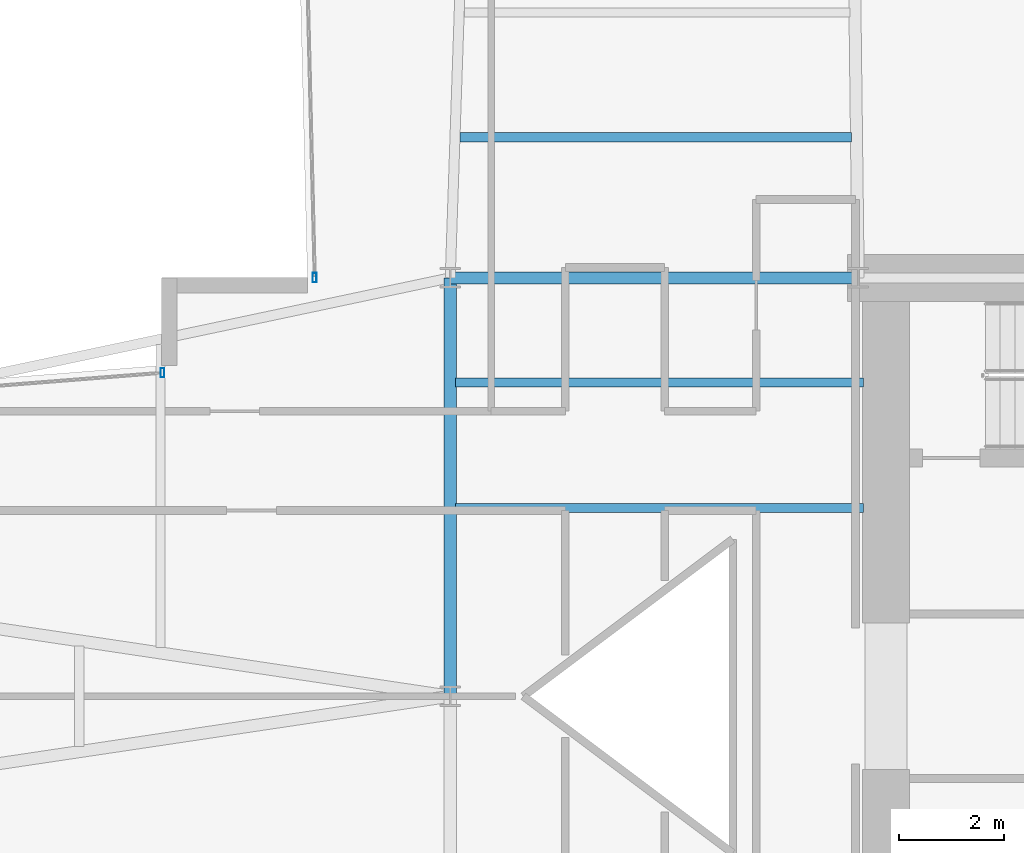
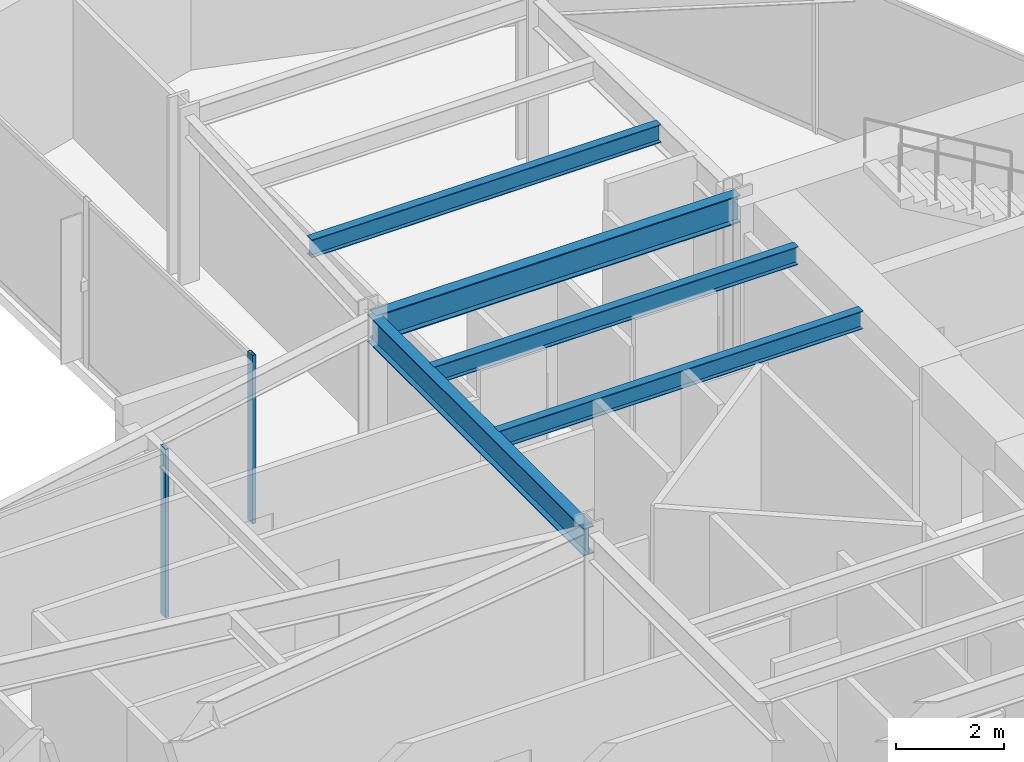
# One storey, part 9 of 24: 5 beams, 2 members, 2 elements without a shape of their own.
"""IFC4 building model written with IfcOpenShell, lengths in metres."""

from ifc_helpers import new_model, si_unit, direction, frame, origin, origin_2d, place, context, subcontext, project, spatial, hollow_rectangle, i_section, extrude, material, layer, layer_set, material_profile, profile_set, type_object, element, aggregate, save


model = new_model("IFC4")

# Units and contexts
model_context = context("Model", 3, precision=1e-05, world=origin(), true_north=direction((0.0, 1.0)))
body_context = subcontext(model_context, "Body", "Model", "MODEL_VIEW")
ifc_project = project(units=[si_unit("LENGTHUNIT", "METRE"), si_unit("AREAUNIT", "SQUARE_METRE"), si_unit("VOLUMEUNIT", "CUBIC_METRE"), si_unit("PLANEANGLEUNIT", "RADIAN"), si_unit("MASSUNIT", "GRAM", prefix="KILO")], contexts=[model_context])

# Site, building, storey
site_placement = place(None, origin())
site = spatial("IfcSite", under=ifc_project, at=site_placement, CompositionType="ELEMENT")
building_placement = place(site_placement, origin())
building = spatial("IfcBuilding", under=site, at=building_placement, Name="Veymaron Broadcast Tower", CompositionType="ELEMENT")
storey_placement = place(building_placement, frame((0.0, 0.0, 78.300048828125)))
storey = spatial("IfcBuildingStorey", under=building, at=storey_placement, Name="L17", CompositionType="ELEMENT", Elevation=78.300048828125)

# Beams
ifc_material_1 = material(Name="Structural steel ASTM A992 Gr 50", Category="steel")
ifc_material_profile_1 = material_profile(ifc_material_1, i_section(OverallWidth=0.22998046875, OverallDepth=0.616943359375, WebThickness=0.01318359375, FlangeThickness=0.022216796875, at=origin_2d()), Name="W610X140")
ifc_profile_set_1 = profile_set([ifc_material_profile_1], Name="Structural steel ASTM A992 Gr 50")
beam_type_1 = type_object("IfcBeamType", Name="BM-FG1", PredefinedType="BEAM", material=ifc_profile_set_1)
beam_1_placement = place(storey_placement, frame((31.199951171875, 24.0, 3.50146484375), z_axis=(0.0, 1.0, 0.0), x_axis=(-1.0, 0.0, 0.0)))
element("IfcBeam", 1, at=beam_1_placement, inside=storey, type_object=beam_type_1, Name="L17 primary structural floor girder", PredefinedType="BEAM", context=body_context, shape_type="SweptSolid", body=[
    extrude(i_section(OverallWidth=0.22998046875, OverallDepth=0.616943359375, WebThickness=0.01318359375, FlangeThickness=0.022216796875, at=origin_2d()), origin(), (0.0, 0.0, 1.0), 8.0),
])
beam_2_placement = place(storey_placement, frame((31.199951171875, 32.0, 3.50146484375), z_axis=(1.0, 0.0, 0.0), x_axis=(0.0, 1.0, 0.0)))
element("IfcBeam", 2, at=beam_2_placement, inside=storey, type_object=beam_type_1, Name="L17 primary structural floor girder", PredefinedType="BEAM", context=body_context, shape_type="SweptSolid", body=[
    extrude(i_section(OverallWidth=0.22998046875, OverallDepth=0.616943359375, WebThickness=0.01318359375, FlangeThickness=0.022216796875, at=origin_2d()), origin(), (0.0, 0.0, 1.0), 7.800048828125),
])
ifc_material_profile_2 = material_profile(ifc_material_1, i_section(OverallWidth=0.177978515625, OverallDepth=0.406982421875, WebThickness=0.0078125, FlangeThickness=0.0126953125, at=origin_2d()), Name="W410X60")
ifc_profile_set_2 = profile_set([ifc_material_profile_2], Name="Structural steel ASTM A992 Gr 50")
beam_type_2 = type_object("IfcBeamType", Name="BM-JS1", PredefinedType="JOIST", material=ifc_profile_set_2)
beam_3_placement = place(storey_placement, frame((31.390625, 34.685546875, 3.6064453125), z_axis=(1.0, 0.0, 0.0), x_axis=(0.0, 1.0, 0.0)))
element("IfcBeam", 3, at=beam_3_placement, inside=storey, type_object=beam_type_2, Name="L17 Arm-B secondary joist 1", PredefinedType="JOIST", context=body_context, shape_type="SweptSolid", body=[
    extrude(i_section(OverallWidth=0.177978515625, OverallDepth=0.406982421875, WebThickness=0.0078125, FlangeThickness=0.0126953125, at=origin_2d()), origin(), (0.0, 0.0, 1.0), 7.47705078125),
])
for number, where, z_axis, x_axis, name in (
    (4, (31.300048828125, 27.60009765625, 3.6064453125), (1.0, 0.0, 0.0), (0.0, 1.0, 0.0), "L17 Hub secondary joist 3"),
    (5, (31.300048828125, 30.0, 3.6064453125), (1.0, 0.0, 0.0), (0.0, 1.0, 0.0), "L17 Hub secondary joist 4"),
):
    element("IfcBeam", number, at=place(storey_placement, frame(where, z_axis=z_axis, x_axis=x_axis)), inside=storey, type_object=beam_type_2, Name=name, PredefinedType="JOIST", context=body_context, shape_type="SweptSolid", body=[
        extrude(i_section(OverallWidth=0.177978515625, OverallDepth=0.406982421875, WebThickness=0.0078125, FlangeThickness=0.0126953125, at=origin_2d()), origin(), (0.0, 0.0, 1.0), 7.800048828125),
    ])

# Curtain wall, member
ifc_material_2 = material(Name="Anodised aluminium AA 6063-T6 and laminated low-E dark glass", Category="aluminium")
ifc_layer = layer(ifc_material_2, 0.179931640625)
ifc_layer_set = layer_set([ifc_layer], Name="Anodised aluminium AA 6063-T6 and laminated low-E dark glass")
curtain_wall_type = type_object("IfcCurtainWallType", Name="CW-SYS-02", PredefinedType="NOTDEFINED", material=ifc_layer_set)
curtain_wall_1_placement = place(storey_placement, origin())
curtain_wall_1 = element("IfcCurtainWall", 6, at=curtain_wall_1_placement, inside=storey, type_object=curtain_wall_type, Name="L17 dark-glass curtain wall CW-L17-E8-1", PredefinedType="NOTDEFINED")
ifc_material_3 = material(Name="Anodised aluminium AA 6063-T6", Category="aluminium")
ifc_material_profile_3 = material_profile(ifc_material_3, hollow_rectangle(XDim=0.074951171875, YDim=0.179931640625, WallThickness=0.0048828125, at=origin_2d()), Name="AL180X75X5")
ifc_profile_set_3 = profile_set([ifc_material_profile_3], Name="Anodised aluminium AA 6063-T6")
member_type = type_object("IfcMemberType", Name="CW-MUL-02", PredefinedType="MULLION", material=ifc_profile_set_3)
member_1_placement = place(storey_placement, frame((28.6083984375, 32.00341796875, 0.0), z_axis=(0.0, 0.0, 1.0), x_axis=(1.0, 0.0, 0.0)))
member_1 = element("IfcMember", 7, at=member_1_placement, type_object=member_type, Name="CW-L17-E8-1 mullion 2", PredefinedType="MULLION", context=body_context, shape_type="SweptSolid", body=[
    extrude(hollow_rectangle(XDim=0.074951171875, YDim=0.179931640625, WallThickness=0.0048828125, at=origin_2d()), origin(), (0.0, 0.0, 1.0), 3.81005859375),
])
aggregate(curtain_wall_1, [member_1])

curtain_wall_2_placement = place(storey_placement, origin())
curtain_wall_2 = element("IfcCurtainWall", 8, at=curtain_wall_2_placement, inside=storey, type_object=curtain_wall_type, Name="L17 dark-glass curtain wall CW-L17-E11-1", PredefinedType="NOTDEFINED")
member_2_placement = place(storey_placement, frame((25.698974609375, 30.18505859375, 0.0), z_axis=(0.0, 0.0, 1.0), x_axis=(1.0, 0.0, 0.0)))
member_2 = element("IfcMember", 9, at=member_2_placement, type_object=member_type, Name="CW-L17-E11-1 mullion 0", PredefinedType="MULLION", context=body_context, shape_type="SweptSolid", body=[
    extrude(hollow_rectangle(XDim=0.074951171875, YDim=0.179931640625, WallThickness=0.0048828125, at=origin_2d()), origin(), (0.0, 0.0, 1.0), 3.81005859375),
])
aggregate(curtain_wall_2, [member_2])

save(model, "model.ifc")
